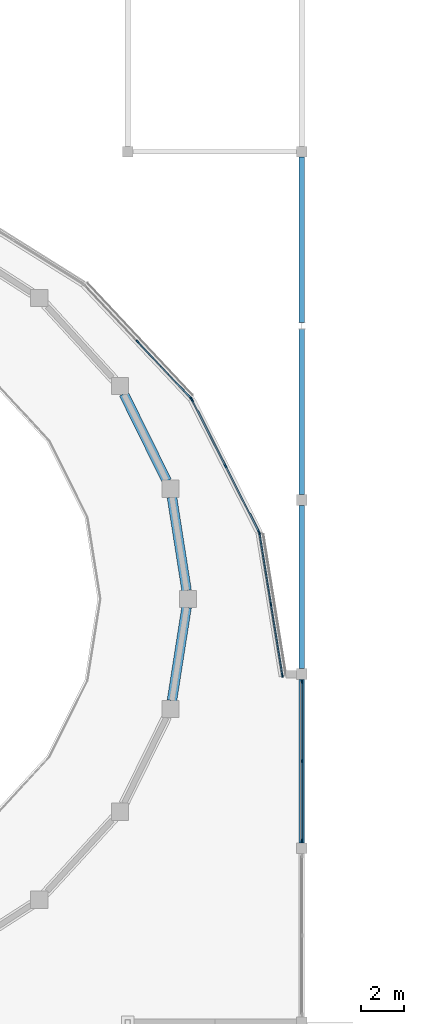
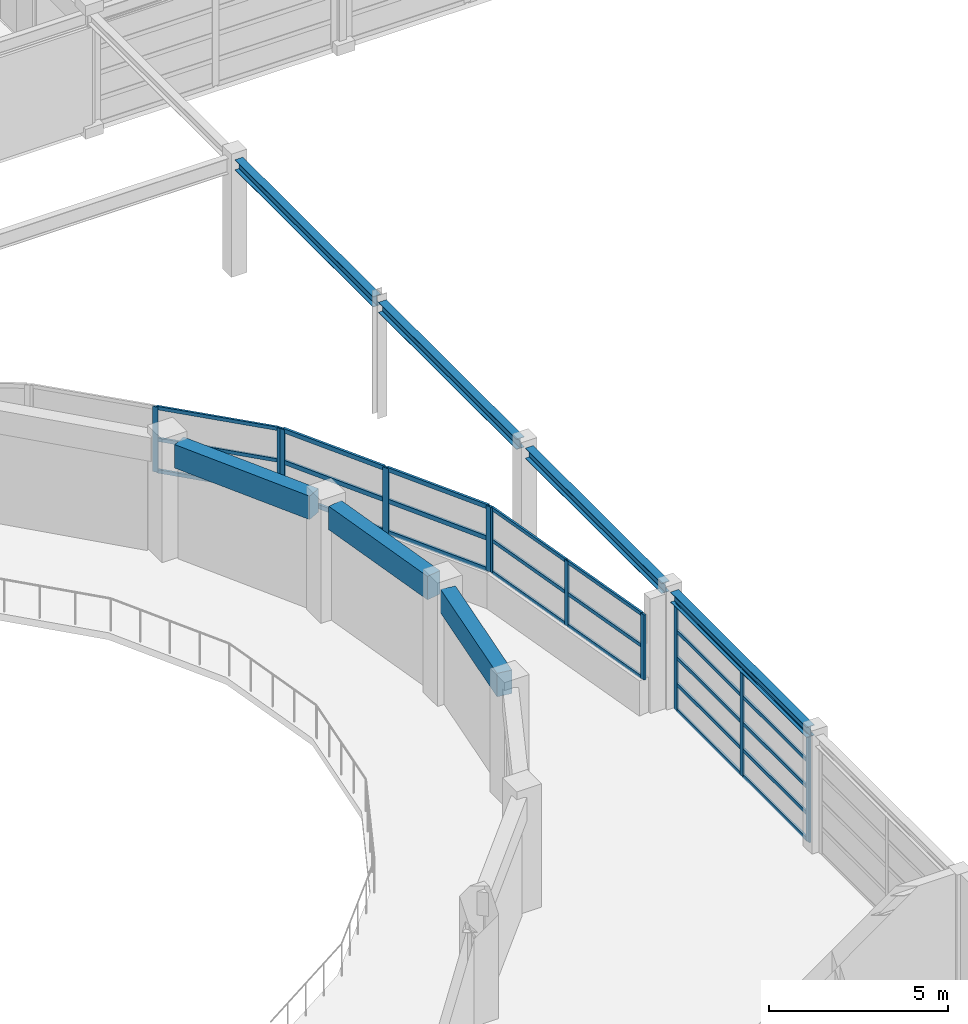
# One storey, part 21 of 54: 36 members, 7 beams, 4 elements without a shape of their own.
"""IFC4 building model written with IfcOpenShell, lengths in metres."""

from ifc_helpers import new_model, si_unit, direction, frame, origin, origin_2d, place, context, subcontext, project, spatial, rectangle, i_section, extrude, material, material_profile, profile_set, type_object, element, aggregate, save


model = new_model("IFC4")

# Units and contexts
model_context = context("Model", 3, precision=1e-05, world=origin(), true_north=direction((0.0, 1.0)))
body_context = subcontext(model_context, "Body", "Model", "MODEL_VIEW")
ifc_project = project(units=[si_unit("LENGTHUNIT", "METRE"), si_unit("AREAUNIT", "SQUARE_METRE"), si_unit("VOLUMEUNIT", "CUBIC_METRE"), si_unit("PLANEANGLEUNIT", "RADIAN"), si_unit("MASSUNIT", "GRAM", prefix="KILO")], contexts=[model_context])

# Site, building, storey
site_placement = place(None, origin())
site = spatial("IfcSite", under=ifc_project, at=site_placement, CompositionType="ELEMENT")
building_placement = place(site_placement, origin())
building = spatial("IfcBuilding", under=site, at=building_placement, Name="Parian Resonance Hall", CompositionType="ELEMENT")
storey_placement = place(building_placement, frame((0.0, 0.0, 15.0)))
storey = spatial("IfcBuildingStorey", under=building, at=storey_placement, Name="L03", CompositionType="ELEMENT", Elevation=15.0)

# Beams
ifc_material_1 = material(Name="Concrete C40/50", Category="concrete")
ifc_material_profile_1 = material_profile(ifc_material_1, rectangle(XDim=0.449951171875, YDim=0.800048828125, at=origin_2d()), Name="RC-BM-450x800")
ifc_profile_set_1 = profile_set([ifc_material_profile_1], Name="Concrete C40/50")
beam_type_1 = type_object("IfcBeamType", Name="BM-RC450x800", PredefinedType="USERDEFINED", material=ifc_profile_set_1)
beam_1_placement = place(storey_placement, frame((67.5380859375, 44.395263671875, 3.530029296875), z_axis=(-0.155033793728, 0.987909167283, 0.0), x_axis=(-0.987909167283, -0.155033793728, 0.0)))
element("IfcBeam", 1, at=beam_1_placement, inside=storey, type_object=beam_type_1, Name="Concert hall drum ring beam L03-01", ObjectType="GIRDER", PredefinedType="USERDEFINED", context=body_context, shape_type="SweptSolid", body=[
    extrude(rectangle(XDim=0.449951171875, YDim=0.800048828125, at=origin_2d()), origin(), (0.0, 0.0, 1.0), 4.38720703125),
])
beam_2_placement = place(storey_placement, frame((66.61865234375, 49.4833984375, 3.530029296875), z_axis=(-0.442697851544, 0.896670849441, 0.0), x_axis=(-0.896670849441, -0.442697851544, 0.0)))
element("IfcBeam", 2, at=beam_2_placement, inside=storey, type_object=beam_type_1, Name="Concert hall drum ring beam L03-02", ObjectType="GIRDER", PredefinedType="USERDEFINED", context=body_context, shape_type="SweptSolid", body=[
    extrude(rectangle(XDim=0.449951171875, YDim=0.800048828125, at=origin_2d()), origin(), (0.0, 0.0, 1.0), 4.525390625),
])
beam_3_placement = place(storey_placement, frame((66.85791015625, 39.2705078125, 3.530029296875), z_axis=(0.155033793728, 0.987909167283, 0.0), x_axis=(-0.987909167283, 0.155033793728, 0.0)))
element("IfcBeam", 3, at=beam_3_placement, inside=storey, type_object=beam_type_1, Name="Concert hall drum ring beam L03-24", ObjectType="GIRDER", PredefinedType="USERDEFINED", context=body_context, shape_type="SweptSolid", body=[
    extrude(rectangle(XDim=0.449951171875, YDim=0.800048828125, at=origin_2d()), origin(), (0.0, 0.0, 1.0), 4.38720703125),
])
ifc_material_2 = material(Name="Steel S355", Category="steel")
ifc_material_profile_2 = material_profile(ifc_material_2, i_section(OverallWidth=0.2548828125, OverallDepth=0.35693359375, WebThickness=0.010498046875, FlangeThickness=0.018310546875, FilletRadius=0.01513671875, at=origin_2d()), Name="W360x101")
ifc_profile_set_2 = profile_set([ifc_material_profile_2], Name="Steel S355")
beam_type_2 = type_object("IfcBeamType", Name="BM-W360x101", PredefinedType="SPANDREL", material=ifc_profile_set_2)
for number, where, z_axis, x_axis, name in (
    (4, (72.89990234375, 32.64990234375, 3.801513671875), (0.0, 1.0, 0.0), (-1.0, 0.0, 0.0), "GY-L03-0878"),
    (5, (72.89990234375, 40.75, 3.79150390625), (0.0, 1.0, 0.0), (-1.0, 0.0, 0.0), "GY-L03-0879"),
):
    element("IfcBeam", number, at=place(storey_placement, frame(where, z_axis=z_axis, x_axis=x_axis)), inside=storey, type_object=beam_type_2, Name=name, PredefinedType="SPANDREL", context=body_context, shape_type="SweptSolid", body=[
        extrude(i_section(OverallWidth=0.2548828125, OverallDepth=0.35693359375, WebThickness=0.010498046875, FlangeThickness=0.018310546875, FilletRadius=0.01513671875, at=origin_2d()), origin(), (0.0, 0.0, 1.0), 7.60009765625),
    ])
beam_4_placement = place(storey_placement, frame((72.89990234375, 48.85009765625, 3.79150390625), z_axis=(0.0, 1.0, 0.0), x_axis=(-1.0, 0.0, 0.0)))
element("IfcBeam", 6, at=beam_4_placement, inside=storey, type_object=beam_type_2, Name="GY-L03-0880", PredefinedType="SPANDREL", context=body_context, shape_type="SweptSolid", body=[
    extrude(i_section(OverallWidth=0.2548828125, OverallDepth=0.35693359375, WebThickness=0.010498046875, FlangeThickness=0.018310546875, FilletRadius=0.01513671875, at=origin_2d()), origin(), (0.0, 0.0, 1.0), 7.69580078125),
])
beam_5_placement = place(storey_placement, frame((72.89990234375, 56.85400390625, 3.79150390625), z_axis=(0.0, 1.0, 0.0), x_axis=(-1.0, 0.0, 0.0)))
element("IfcBeam", 7, at=beam_5_placement, inside=storey, type_object=beam_type_2, Name="GY-L03-0881", PredefinedType="SPANDREL", context=body_context, shape_type="SweptSolid", body=[
    extrude(i_section(OverallWidth=0.2548828125, OverallDepth=0.35693359375, WebThickness=0.010498046875, FlangeThickness=0.018310546875, FilletRadius=0.01513671875, at=origin_2d()), origin(), (0.0, 0.0, 1.0), 7.696044921875),
])

# Curtain wall, members
ifc_material_3 = material(Name="Bronze-anodised aluminium frame", Category="aluminium")
curtain_wall_type_1 = type_object("IfcCurtainWallType", Name="CW-SYS-03", PredefinedType="NOTDEFINED", material=ifc_material_3)
curtain_wall_1_placement = place(storey_placement, origin())
curtain_wall_1 = element("IfcCurtainWall", 8, at=curtain_wall_1_placement, inside=storey, type_object=curtain_wall_type_1, Name="Elliptical R3 recessed strip curtain wall 01", PredefinedType="NOTDEFINED")
ifc_material_4 = material(Name="Bronze-anodised aluminium frame", Category="aluminium")
ifc_material_profile_3 = material_profile(ifc_material_4, rectangle(XDim=0.06494140625, YDim=0.159912109375, at=origin_2d()), Name="CWM-65x160")
ifc_profile_set_3 = profile_set([ifc_material_profile_3], Name="Bronze-anodised aluminium frame")
member_type_1 = type_object("IfcMemberType", Name="CWM-65x160", PredefinedType="MULLION", material=ifc_profile_set_3)
member_1_placement = place(storey_placement, frame((70.928466796875, 47.04541015625, 1.19189453125), z_axis=(0.0, 0.0, 1.0), x_axis=(0.987248467028, 0.159186884981, 0.0)))
member_1 = element("IfcMember", 9, at=member_1_placement, type_object=member_type_1, Name="CW-03 mullion 1", PredefinedType="MULLION", context=body_context, shape_type="SweptSolid", body=[
    extrude(rectangle(XDim=0.06494140625, YDim=0.159912109375, at=origin_2d()), origin(), (0.0, 0.0, 1.0), 2.218017578125),
])
member_2_placement = place(storey_placement, frame((71.461669921875, 43.73876953125, 1.19189453125), z_axis=(0.0, 0.0, 1.0), x_axis=(0.987248467028, 0.159186884981, 0.0)))
member_2 = element("IfcMember", 10, at=member_2_placement, type_object=member_type_1, Name="CW-03 mullion 2", PredefinedType="MULLION", context=body_context, shape_type="SweptSolid", body=[
    extrude(rectangle(XDim=0.06494140625, YDim=0.159912109375, at=origin_2d()), origin(), (0.0, 0.0, 1.0), 2.218017578125),
])
member_3_placement = place(storey_placement, frame((71.994873046875, 40.43212890625, 1.19189453125), z_axis=(0.0, 0.0, 1.0), x_axis=(0.987248467028, 0.159186884981, 0.0)))
member_3 = element("IfcMember", 11, at=member_3_placement, type_object=member_type_1, Name="CW-03 mullion 3", PredefinedType="MULLION", context=body_context, shape_type="SweptSolid", body=[
    extrude(rectangle(XDim=0.06494140625, YDim=0.159912109375, at=origin_2d()), origin(), (0.0, 0.0, 1.0), 2.218017578125),
])

ifc_material_5 = material(Name="Bronze-anodised aluminium frame", Category="aluminium")
curtain_wall_type_2 = type_object("IfcCurtainWallType", Name="CW-SYS-05", PredefinedType="NOTDEFINED", material=ifc_material_5)
curtain_wall_2_placement = place(storey_placement, origin())
curtain_wall_2 = element("IfcCurtainWall", 12, at=curtain_wall_2_placement, inside=storey, type_object=curtain_wall_type_2, Name="Elliptical R3 recessed strip curtain wall 03", PredefinedType="NOTDEFINED")
member_4_placement = place(storey_placement, frame((65.255615234375, 55.9716796875, 1.19189453125), z_axis=(0.0, 0.0, 1.0), x_axis=(0.728695449283, 0.684837894829, 0.0)))
member_4 = element("IfcMember", 13, at=member_4_placement, type_object=member_type_1, Name="CW-05 mullion 2", PredefinedType="MULLION", context=body_context, shape_type="SweptSolid", body=[
    extrude(rectangle(XDim=0.06494140625, YDim=0.159912109375, at=origin_2d()), origin(), (0.0, 0.0, 1.0), 2.218017578125),
])
member_5_placement = place(storey_placement, frame((67.744140625, 53.32373046875, 1.19189453125), z_axis=(0.0, 0.0, 1.0), x_axis=(0.728695449283, 0.684837894829, 0.0)))
member_5 = element("IfcMember", 14, at=member_5_placement, type_object=member_type_1, Name="CW-05 mullion 3", PredefinedType="MULLION", context=body_context, shape_type="SweptSolid", body=[
    extrude(rectangle(XDim=0.06494140625, YDim=0.159912109375, at=origin_2d()), origin(), (0.0, 0.0, 1.0), 2.218017578125),
])

curtain_wall_3_placement = place(storey_placement, origin())
curtain_wall_3 = element("IfcCurtainWall", 15, at=curtain_wall_3_placement, inside=storey, type_object=curtain_wall_type_2, Name="Curtain wall CW-L03-137", PredefinedType="NOTDEFINED")
member_6_placement = place(storey_placement, frame((72.89990234375, 40.137451171875, -0.008056640625), z_axis=(0.0, 0.0, 1.0), x_axis=(1.0, 0.0, 0.0)))
member_6 = element("IfcMember", 16, at=member_6_placement, type_object=member_type_1, Name="CW-05 mullion 1", PredefinedType="MULLION", context=body_context, shape_type="SweptSolid", body=[
    extrude(rectangle(XDim=0.06494140625, YDim=0.159912109375, at=origin_2d()), origin(), (0.0, 0.0, 1.0), 3.635009765625),
])
member_7_placement = place(storey_placement, frame((72.89990234375, 36.449951171875, -0.008056640625), z_axis=(0.0, 0.0, 1.0), x_axis=(1.0, 0.0, 0.0)))
member_7 = element("IfcMember", 17, at=member_7_placement, type_object=member_type_1, Name="CW-05 mullion 2", PredefinedType="MULLION", context=body_context, shape_type="SweptSolid", body=[
    extrude(rectangle(XDim=0.06494140625, YDim=0.159912109375, at=origin_2d()), origin(), (0.0, 0.0, 1.0), 3.635009765625),
])
member_8_placement = place(storey_placement, frame((72.89990234375, 32.762451171875, -0.008056640625), z_axis=(0.0, 0.0, 1.0), x_axis=(1.0, 0.0, 0.0)))
member_8 = element("IfcMember", 18, at=member_8_placement, type_object=member_type_1, Name="CW-05 mullion 3", PredefinedType="MULLION", context=body_context, shape_type="SweptSolid", body=[
    extrude(rectangle(XDim=0.06494140625, YDim=0.159912109375, at=origin_2d()), origin(), (0.0, 0.0, 1.0), 3.635009765625),
])

ifc_material_6 = material(Name="Bronze-anodised aluminium frame", Category="aluminium")
curtain_wall_type_3 = type_object("IfcCurtainWallType", Name="CW-SYS-04", PredefinedType="NOTDEFINED", material=ifc_material_6)
curtain_wall_4_placement = place(storey_placement, origin())
curtain_wall_4 = element("IfcCurtainWall", 19, at=curtain_wall_4_placement, inside=storey, type_object=curtain_wall_type_3, Name="Elliptical R3 recessed strip curtain wall 02", PredefinedType="NOTDEFINED")
ifc_material_7 = material(Name="Bronze-anodised aluminium frame", Category="aluminium")
ifc_material_profile_4 = material_profile(ifc_material_7, rectangle(XDim=0.074951171875, YDim=0.199951171875, at=origin_2d()), Name="CWM-75x200")
ifc_profile_set_4 = profile_set([ifc_material_profile_4], Name="Bronze-anodised aluminium frame")
member_type_2 = type_object("IfcMemberType", Name="CWM-75x200", PredefinedType="MULLION", material=ifc_profile_set_4)
member_9_placement = place(storey_placement, frame((67.783447265625, 53.2666015625, 1.19189453125), z_axis=(0.0, 0.0, 1.0), x_axis=(0.891794894252, 0.452439903839, 0.0)))
member_9 = element("IfcMember", 20, at=member_9_placement, type_object=member_type_2, Name="CW-04 mullion 1", PredefinedType="MULLION", context=body_context, shape_type="SweptSolid", body=[
    extrude(rectangle(XDim=0.074951171875, YDim=0.199951171875, at=origin_2d()), origin(), (0.0, 0.0, 1.0), 2.218017578125),
])
member_10_placement = place(storey_placement, frame((69.344970703125, 50.188720703125, 1.19189453125), z_axis=(0.0, 0.0, 1.0), x_axis=(0.891794894252, 0.452439903839, 0.0)))
member_10 = element("IfcMember", 21, at=member_10_placement, type_object=member_type_2, Name="CW-04 mullion 2", PredefinedType="MULLION", context=body_context, shape_type="SweptSolid", body=[
    extrude(rectangle(XDim=0.074951171875, YDim=0.199951171875, at=origin_2d()), origin(), (0.0, 0.0, 1.0), 2.218017578125),
])
member_11_placement = place(storey_placement, frame((70.90625, 47.11083984375, 1.19189453125), z_axis=(0.0, 0.0, 1.0), x_axis=(0.891794894252, 0.452439903839, 0.0)))
member_11 = element("IfcMember", 22, at=member_11_placement, type_object=member_type_2, Name="CW-04 mullion 3", PredefinedType="MULLION", context=body_context, shape_type="SweptSolid", body=[
    extrude(rectangle(XDim=0.074951171875, YDim=0.199951171875, at=origin_2d()), origin(), (0.0, 0.0, 1.0), 2.218017578125),
])

# Member
ifc_material_8 = material(Name="Bronze-anodised aluminium frame", Category="aluminium")
ifc_material_profile_5 = material_profile(ifc_material_8, rectangle(XDim=0.06494140625, YDim=0.1201171875, at=origin_2d()), Name="CWT-65x120")
ifc_profile_set_5 = profile_set([ifc_material_profile_5], Name="Bronze-anodised aluminium frame")
member_type_3 = type_object("IfcMemberType", Name="CWT-65x120", PredefinedType="USERDEFINED", material=ifc_profile_set_5)
member_12_placement = place(storey_placement, frame((70.93359375, 47.013427734375, 1.224609375), z_axis=(0.159213743349, -0.98724413593, 0.0), x_axis=(0.98724413593, 0.159213743349, 0.0)))
member_12 = element("IfcMember", 23, at=member_12_placement, type_object=member_type_3, Name="CW-03 transom 1.1", ObjectType="TRANSOM", PredefinedType="USERDEFINED", context=body_context, shape_type="SweptSolid", body=[
    extrude(rectangle(XDim=0.06494140625, YDim=0.1201171875, at=origin_2d()), origin(), (0.0, 0.0, 1.0), 3.28466796875),
])

member_13_placement = place(storey_placement, frame((70.93359375, 47.013427734375, 2.300048828125), z_axis=(0.159213743349, -0.98724413593, 0.0), x_axis=(0.98724413593, 0.159213743349, 0.0)))
member_13 = element("IfcMember", 24, at=member_13_placement, type_object=member_type_3, Name="CW-03 transom 1.2", ObjectType="TRANSOM", PredefinedType="USERDEFINED", context=body_context, shape_type="SweptSolid", body=[
    extrude(rectangle(XDim=0.06494140625, YDim=0.1201171875, at=origin_2d()), origin(), (0.0, 0.0, 1.0), 3.28466796875),
])

member_14_placement = place(storey_placement, frame((70.93359375, 47.013427734375, 3.37744140625), z_axis=(0.159213743349, -0.98724413593, 0.0), x_axis=(0.98724413593, 0.159213743349, 0.0)))
member_14 = element("IfcMember", 25, at=member_14_placement, type_object=member_type_3, Name="CW-03 transom 1.3", ObjectType="TRANSOM", PredefinedType="USERDEFINED", context=body_context, shape_type="SweptSolid", body=[
    extrude(rectangle(XDim=0.06494140625, YDim=0.1201171875, at=origin_2d()), origin(), (0.0, 0.0, 1.0), 3.28466796875),
])

member_15_placement = place(storey_placement, frame((71.466796875, 43.70654296875, 1.224609375), z_axis=(0.159225427513, -0.987242251544, 0.0), x_axis=(0.987242251544, 0.159225427513, 0.0)))
member_15 = element("IfcMember", 26, at=member_15_placement, type_object=member_type_3, Name="CW-03 transom 2.1", ObjectType="TRANSOM", PredefinedType="USERDEFINED", context=body_context, shape_type="SweptSolid", body=[
    extrude(rectangle(XDim=0.06494140625, YDim=0.1201171875, at=origin_2d()), origin(), (0.0, 0.0, 1.0), 3.284423828125),
])

member_16_placement = place(storey_placement, frame((71.466796875, 43.70654296875, 2.300048828125), z_axis=(0.159225427513, -0.987242251544, 0.0), x_axis=(0.987242251544, 0.159225427513, 0.0)))
member_16 = element("IfcMember", 27, at=member_16_placement, type_object=member_type_3, Name="CW-03 transom 2.2", ObjectType="TRANSOM", PredefinedType="USERDEFINED", context=body_context, shape_type="SweptSolid", body=[
    extrude(rectangle(XDim=0.06494140625, YDim=0.1201171875, at=origin_2d()), origin(), (0.0, 0.0, 1.0), 3.284423828125),
])

member_17_placement = place(storey_placement, frame((71.466796875, 43.70654296875, 3.37744140625), z_axis=(0.159225427513, -0.987242251544, 0.0), x_axis=(0.987242251544, 0.159225427513, 0.0)))
member_17 = element("IfcMember", 28, at=member_17_placement, type_object=member_type_3, Name="CW-03 transom 2.3", ObjectType="TRANSOM", PredefinedType="USERDEFINED", context=body_context, shape_type="SweptSolid", body=[
    extrude(rectangle(XDim=0.06494140625, YDim=0.1201171875, at=origin_2d()), origin(), (0.0, 0.0, 1.0), 3.284423828125),
])

aggregate(curtain_wall_1, [member_1, member_2, member_3, member_12, member_13, member_14, member_15, member_16, member_17])

member_18_placement = place(storey_placement, frame((65.27783203125, 55.947998046875, 1.224609375), z_axis=(0.684841727583, -0.72869184719, 0.0), x_axis=(0.72869184719, 0.684841727583, 0.0)))
member_18 = element("IfcMember", 29, at=member_18_placement, type_object=member_type_3, Name="CW-05 transom 2.1", ObjectType="TRANSOM", PredefinedType="USERDEFINED", context=body_context, shape_type="SweptSolid", body=[
    extrude(rectangle(XDim=0.06494140625, YDim=0.1201171875, at=origin_2d()), origin(), (0.0, 0.0, 1.0), 3.56884765625),
])

member_19_placement = place(storey_placement, frame((65.27783203125, 55.947998046875, 2.300048828125), z_axis=(0.684841727583, -0.72869184719, 0.0), x_axis=(0.72869184719, 0.684841727583, 0.0)))
member_19 = element("IfcMember", 30, at=member_19_placement, type_object=member_type_3, Name="CW-05 transom 2.2", ObjectType="TRANSOM", PredefinedType="USERDEFINED", context=body_context, shape_type="SweptSolid", body=[
    extrude(rectangle(XDim=0.06494140625, YDim=0.1201171875, at=origin_2d()), origin(), (0.0, 0.0, 1.0), 3.56884765625),
])

member_20_placement = place(storey_placement, frame((65.27783203125, 55.947998046875, 3.37744140625), z_axis=(0.684841727583, -0.72869184719, 0.0), x_axis=(0.72869184719, 0.684841727583, 0.0)))
member_20 = element("IfcMember", 31, at=member_20_placement, type_object=member_type_3, Name="CW-05 transom 2.3", ObjectType="TRANSOM", PredefinedType="USERDEFINED", context=body_context, shape_type="SweptSolid", body=[
    extrude(rectangle(XDim=0.06494140625, YDim=0.1201171875, at=origin_2d()), origin(), (0.0, 0.0, 1.0), 3.56884765625),
])

aggregate(curtain_wall_2, [member_4, member_5, member_18, member_19, member_20])

member_21_placement = place(storey_placement, frame((72.89990234375, 40.10498046875, 0.0244140625), z_axis=(0.0, -1.0, 0.0), x_axis=(1.0, 0.0, 0.0)))
member_21 = element("IfcMember", 32, at=member_21_placement, type_object=member_type_3, Name="CW-05 transom 1.1", ObjectType="TRANSOM", PredefinedType="USERDEFINED", context=body_context, shape_type="SweptSolid", body=[
    extrude(rectangle(XDim=0.06494140625, YDim=0.1201171875, at=origin_2d()), origin(), (0.0, 0.0, 1.0), 3.62255859375),
])

member_22_placement = place(storey_placement, frame((72.89990234375, 40.10498046875, 0.904296875), z_axis=(0.0, -1.0, 0.0), x_axis=(1.0, 0.0, 0.0)))
member_22 = element("IfcMember", 33, at=member_22_placement, type_object=member_type_3, Name="CW-05 transom 1.2", ObjectType="TRANSOM", PredefinedType="USERDEFINED", context=body_context, shape_type="SweptSolid", body=[
    extrude(rectangle(XDim=0.06494140625, YDim=0.1201171875, at=origin_2d()), origin(), (0.0, 0.0, 1.0), 3.62255859375),
])

member_23_placement = place(storey_placement, frame((72.89990234375, 40.10498046875, 1.80859375), z_axis=(0.0, -1.0, 0.0), x_axis=(1.0, 0.0, 0.0)))
member_23 = element("IfcMember", 34, at=member_23_placement, type_object=member_type_3, Name="CW-05 transom 1.3", ObjectType="TRANSOM", PredefinedType="USERDEFINED", context=body_context, shape_type="SweptSolid", body=[
    extrude(rectangle(XDim=0.06494140625, YDim=0.1201171875, at=origin_2d()), origin(), (0.0, 0.0, 1.0), 3.62255859375),
])

member_24_placement = place(storey_placement, frame((72.89990234375, 40.10498046875, 2.712646484375), z_axis=(0.0, -1.0, 0.0), x_axis=(1.0, 0.0, 0.0)))
member_24 = element("IfcMember", 35, at=member_24_placement, type_object=member_type_3, Name="CW-05 transom 1.4", ObjectType="TRANSOM", PredefinedType="USERDEFINED", context=body_context, shape_type="SweptSolid", body=[
    extrude(rectangle(XDim=0.06494140625, YDim=0.1201171875, at=origin_2d()), origin(), (0.0, 0.0, 1.0), 3.62255859375),
])

member_25_placement = place(storey_placement, frame((72.89990234375, 40.10498046875, 3.594482421875), z_axis=(0.0, -1.0, 0.0), x_axis=(1.0, 0.0, 0.0)))
member_25 = element("IfcMember", 36, at=member_25_placement, type_object=member_type_3, Name="CW-05 transom 1.5", ObjectType="TRANSOM", PredefinedType="USERDEFINED", context=body_context, shape_type="SweptSolid", body=[
    extrude(rectangle(XDim=0.06494140625, YDim=0.1201171875, at=origin_2d()), origin(), (0.0, 0.0, 1.0), 3.62255859375),
])

member_26_placement = place(storey_placement, frame((72.89990234375, 36.41748046875, 0.0244140625), z_axis=(0.0, -1.0, 0.0), x_axis=(1.0, 0.0, 0.0)))
member_26 = element("IfcMember", 37, at=member_26_placement, type_object=member_type_3, Name="CW-05 transom 2.1", ObjectType="TRANSOM", PredefinedType="USERDEFINED", context=body_context, shape_type="SweptSolid", body=[
    extrude(rectangle(XDim=0.06494140625, YDim=0.1201171875, at=origin_2d()), origin(), (0.0, 0.0, 1.0), 3.62255859375),
])

member_27_placement = place(storey_placement, frame((72.89990234375, 36.41748046875, 0.904296875), z_axis=(0.0, -1.0, 0.0), x_axis=(1.0, 0.0, 0.0)))
member_27 = element("IfcMember", 38, at=member_27_placement, type_object=member_type_3, Name="CW-05 transom 2.2", ObjectType="TRANSOM", PredefinedType="USERDEFINED", context=body_context, shape_type="SweptSolid", body=[
    extrude(rectangle(XDim=0.06494140625, YDim=0.1201171875, at=origin_2d()), origin(), (0.0, 0.0, 1.0), 3.62255859375),
])

member_28_placement = place(storey_placement, frame((72.89990234375, 36.41748046875, 1.80859375), z_axis=(0.0, -1.0, 0.0), x_axis=(1.0, 0.0, 0.0)))
member_28 = element("IfcMember", 39, at=member_28_placement, type_object=member_type_3, Name="CW-05 transom 2.3", ObjectType="TRANSOM", PredefinedType="USERDEFINED", context=body_context, shape_type="SweptSolid", body=[
    extrude(rectangle(XDim=0.06494140625, YDim=0.1201171875, at=origin_2d()), origin(), (0.0, 0.0, 1.0), 3.62255859375),
])

member_29_placement = place(storey_placement, frame((72.89990234375, 36.41748046875, 2.712646484375), z_axis=(0.0, -1.0, 0.0), x_axis=(1.0, 0.0, 0.0)))
member_29 = element("IfcMember", 40, at=member_29_placement, type_object=member_type_3, Name="CW-05 transom 2.4", ObjectType="TRANSOM", PredefinedType="USERDEFINED", context=body_context, shape_type="SweptSolid", body=[
    extrude(rectangle(XDim=0.06494140625, YDim=0.1201171875, at=origin_2d()), origin(), (0.0, 0.0, 1.0), 3.62255859375),
])

member_30_placement = place(storey_placement, frame((72.89990234375, 36.41748046875, 3.594482421875), z_axis=(0.0, -1.0, 0.0), x_axis=(1.0, 0.0, 0.0)))
member_30 = element("IfcMember", 41, at=member_30_placement, type_object=member_type_3, Name="CW-05 transom 2.5", ObjectType="TRANSOM", PredefinedType="USERDEFINED", context=body_context, shape_type="SweptSolid", body=[
    extrude(rectangle(XDim=0.06494140625, YDim=0.1201171875, at=origin_2d()), origin(), (0.0, 0.0, 1.0), 3.62255859375),
])

aggregate(curtain_wall_3, [member_6, member_7, member_8, member_21, member_22, member_23, member_24, member_25, member_26, member_27, member_28, member_29, member_30])

ifc_material_9 = material(Name="Bronze-anodised aluminium frame", Category="aluminium")
ifc_material_profile_6 = material_profile(ifc_material_9, rectangle(XDim=0.074951171875, YDim=0.14990234375, at=origin_2d()), Name="CWT-75x150")
ifc_profile_set_6 = profile_set([ifc_material_profile_6], Name="Bronze-anodised aluminium frame")
member_type_4 = type_object("IfcMemberType", Name="CWT-75x150", PredefinedType="USERDEFINED", material=ifc_profile_set_6)
member_31_placement = place(storey_placement, frame((67.80029296875, 53.233154296875, 1.2294921875), z_axis=(0.452441149649, -0.891794262206, 0.0), x_axis=(0.891794262206, 0.452441149649, 0.0)))
member_31 = element("IfcMember", 42, at=member_31_placement, type_object=member_type_4, Name="CW-04 transom 1.1", ObjectType="TRANSOM", PredefinedType="USERDEFINED", context=body_context, shape_type="SweptSolid", body=[
    extrude(rectangle(XDim=0.074951171875, YDim=0.14990234375, at=origin_2d()), origin(), (0.0, 0.0, 1.0), 3.376220703125),
])

member_32_placement = place(storey_placement, frame((67.80029296875, 53.233154296875, 2.300048828125), z_axis=(0.452441149649, -0.891794262206, 0.0), x_axis=(0.891794262206, 0.452441149649, 0.0)))
member_32 = element("IfcMember", 43, at=member_32_placement, type_object=member_type_4, Name="CW-04 transom 1.2", ObjectType="TRANSOM", PredefinedType="USERDEFINED", context=body_context, shape_type="SweptSolid", body=[
    extrude(rectangle(XDim=0.074951171875, YDim=0.14990234375, at=origin_2d()), origin(), (0.0, 0.0, 1.0), 3.376220703125),
])

member_33_placement = place(storey_placement, frame((67.80029296875, 53.233154296875, 3.37255859375), z_axis=(0.452441149649, -0.891794262206, 0.0), x_axis=(0.891794262206, 0.452441149649, 0.0)))
member_33 = element("IfcMember", 44, at=member_33_placement, type_object=member_type_4, Name="CW-04 transom 1.3", ObjectType="TRANSOM", PredefinedType="USERDEFINED", context=body_context, shape_type="SweptSolid", body=[
    extrude(rectangle(XDim=0.074951171875, YDim=0.14990234375, at=origin_2d()), origin(), (0.0, 0.0, 1.0), 3.376220703125),
])

member_34_placement = place(storey_placement, frame((69.36181640625, 50.1552734375, 1.2294921875), z_axis=(0.452441149649, -0.891794262206, 0.0), x_axis=(0.891794262206, 0.452441149649, 0.0)))
member_34 = element("IfcMember", 45, at=member_34_placement, type_object=member_type_4, Name="CW-04 transom 2.1", ObjectType="TRANSOM", PredefinedType="USERDEFINED", context=body_context, shape_type="SweptSolid", body=[
    extrude(rectangle(XDim=0.074951171875, YDim=0.14990234375, at=origin_2d()), origin(), (0.0, 0.0, 1.0), 3.376220703125),
])

member_35_placement = place(storey_placement, frame((69.36181640625, 50.1552734375, 2.300048828125), z_axis=(0.452441149649, -0.891794262206, 0.0), x_axis=(0.891794262206, 0.452441149649, 0.0)))
member_35 = element("IfcMember", 46, at=member_35_placement, type_object=member_type_4, Name="CW-04 transom 2.2", ObjectType="TRANSOM", PredefinedType="USERDEFINED", context=body_context, shape_type="SweptSolid", body=[
    extrude(rectangle(XDim=0.074951171875, YDim=0.14990234375, at=origin_2d()), origin(), (0.0, 0.0, 1.0), 3.376220703125),
])

member_36_placement = place(storey_placement, frame((69.36181640625, 50.1552734375, 3.37255859375), z_axis=(0.452441149649, -0.891794262206, 0.0), x_axis=(0.891794262206, 0.452441149649, 0.0)))
member_36 = element("IfcMember", 47, at=member_36_placement, type_object=member_type_4, Name="CW-04 transom 2.3", ObjectType="TRANSOM", PredefinedType="USERDEFINED", context=body_context, shape_type="SweptSolid", body=[
    extrude(rectangle(XDim=0.074951171875, YDim=0.14990234375, at=origin_2d()), origin(), (0.0, 0.0, 1.0), 3.376220703125),
])

aggregate(curtain_wall_4, [member_9, member_10, member_11, member_31, member_32, member_33, member_34, member_35, member_36])

save(model, "model.ifc")
